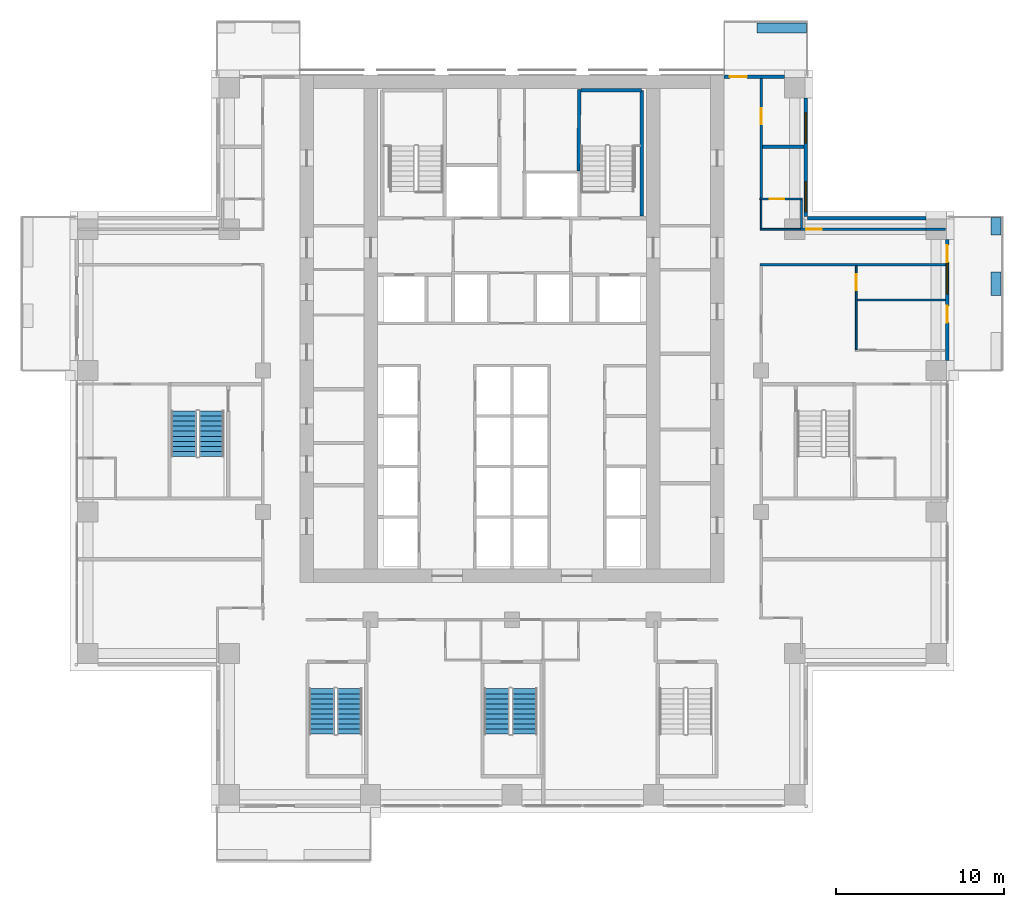
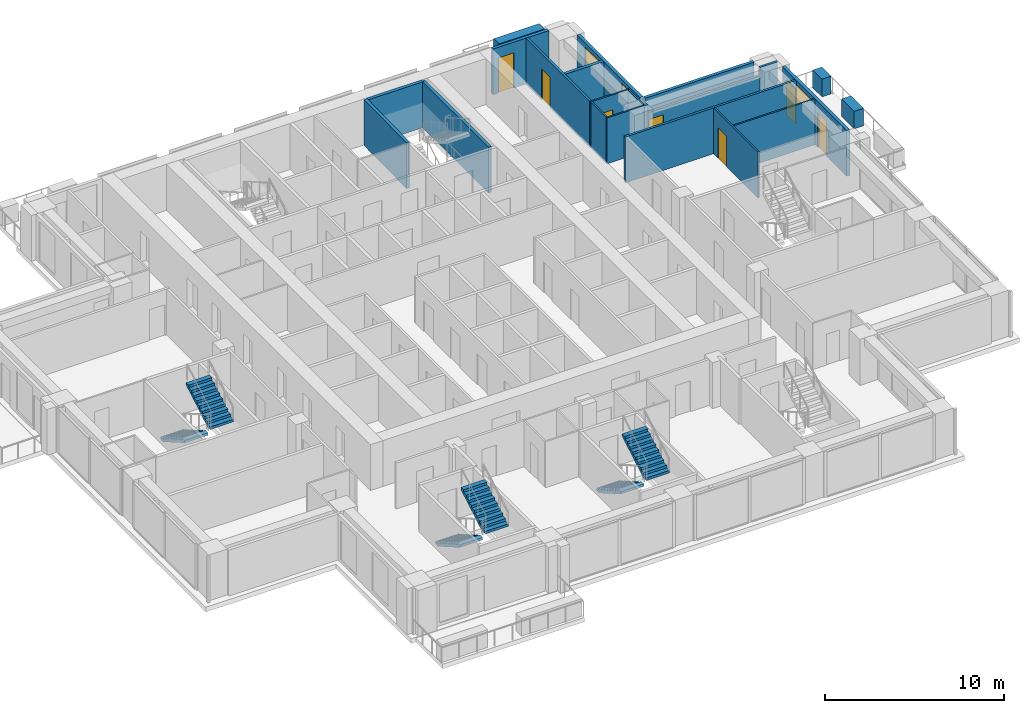
# One storey, part 12 of 17: 22 walls, 7 doors, 6 stair flights, 3 windows, 10 openings, 3 elements without a shape of their own.
"""IFC4 building model written with IfcOpenShell, lengths in metres."""

from ifc_helpers import new_model, si_unit, direction, frame, frame_2d, origin, place, context, subcontext, project, spatial, polyline, rectangle, outline, extrude, material, layer, layer_set, type_object, element, fill, aggregate, save


model = new_model("IFC4")

# Units and contexts
model_context = context("Model", 3, precision=1e-05, world=origin(), true_north=direction((0.0, 1.0)))
body_context = subcontext(model_context, "Body", "Model", "MODEL_VIEW")
ifc_project = project(units=[si_unit("LENGTHUNIT", "METRE"), si_unit("AREAUNIT", "SQUARE_METRE"), si_unit("VOLUMEUNIT", "CUBIC_METRE"), si_unit("PLANEANGLEUNIT", "RADIAN"), si_unit("MASSUNIT", "GRAM", prefix="KILO")], contexts=[model_context])

# Site, building, storey
site_placement = place(None, origin())
site = spatial("IfcSite", under=ifc_project, at=site_placement, CompositionType="ELEMENT")
building_placement = place(site_placement, origin())
building = spatial("IfcBuilding", under=site, at=building_placement, Name="Vermilion Ogive Tower", CompositionType="ELEMENT")
storey_placement = place(building_placement, frame((0.0, 0.0, 87.300048828125)))
storey = spatial("IfcBuildingStorey", under=building, at=storey_placement, Name="L21", CompositionType="ELEMENT", Elevation=87.300048828125)

# Wall
ifc_material_1 = material(Name="Gypsum board partition on steel studs", Category="steel")
ifc_layer_1 = layer(ifc_material_1, 0.10009765625)
ifc_layer_set_1 = layer_set([ifc_layer_1], Name="Partition 100 bath")
wall_type_1 = type_object("IfcWallType", Name="Partition 100 bath", PredefinedType="PARTITIONING", material=ifc_layer_set_1)
wall_1_placement = place(storey_placement, frame((14.75, 12.60009765625, 0.0), z_axis=(0.0, 0.0, 1.0), x_axis=(1.0, 0.0, 0.0)))
element("IfcWall", 1, at=wall_1_placement, inside=storey, type_object=wall_type_1, Name="L21-W-W033", PredefinedType="PARTITIONING", context=body_context, shape_type="SweptSolid", body=[
    extrude(rectangle(XDim=2.5, YDim=0.10009765625, at=frame_2d((1.25, 0.0))), origin(), (0.0, 0.0, 1.0), 3.1298828125),
])

# Wall, opening, door
wall_2_placement = place(storey_placement, frame((14.72509765625, 14.39990234375, 0.0), z_axis=(0.0, 0.0, 1.0), x_axis=(1.0, 0.0, 0.0)))
wall_2 = element("IfcWall", 2, at=wall_2_placement, inside=storey, type_object=wall_type_1, Name="L21-W-W036", PredefinedType="PARTITIONING", context=body_context, shape_type="SweptSolid", body=[
    extrude(rectangle(XDim=2.52490234375, YDim=0.10009765625, at=frame_2d((1.262451171875, 0.0))), origin(), (0.0, 0.0, 1.0), 3.1298828125),
])
opening_1_placement = place(wall_2_placement, frame((0.599853515625, 0.0, 0.0)))
opening_1 = element("IfcOpeningElement", 3, at=opening_1_placement, cuts=wall_2, Name="Opening D2G1021", PredefinedType="OPENING", context=body_context, shape_type="SweptSolid", body=[
    extrude(rectangle(XDim=0.85009765625, YDim=2.10009765625, at=frame_2d((0.425048828125, 1.050048828125))), frame((0.0, 0.06005859375, 0.0), z_axis=(0.0, -1.0, 0.0), x_axis=(1.0, 0.0, 0.0)), (0.0, 0.0, 1.0), 0.1201171875),
])
ifc_material_2 = material(Name="Timber door leaf", Category="wood")
door_type_1 = type_object("IfcDoorType", Name="Bath door 850 x 2100 FD30", OperationType="SINGLE_SWING_LEFT", PredefinedType="DOOR", material=ifc_material_2)
door_1_placement = place(opening_1_placement, origin())
door_1 = element("IfcDoor", 4, at=door_1_placement, inside=storey, type_object=door_type_1, Name="L21-D-D021", OperationType="SINGLE_SWING_RIGHT", OverallHeight=2.10009765625, OverallWidth=0.85009765625, PredefinedType="DOOR", context=body_context, shape_type="SweptSolid", body=[
    extrude(rectangle(XDim=0.85009765625, YDim=2.10009765625, at=frame_2d((0.425048828125, 1.050048828125))), frame((0.0, 0.02490234375, 0.0), z_axis=(0.0, -1.0, 0.0), x_axis=(1.0, 0.0, 0.0)), (0.0, 0.0, 1.0), 0.050048828125),
])
fill(opening_1, door_1)

# Walls
wall_3_placement = place(storey_placement, frame((14.800048828125, 12.64990234375, 0.0), z_axis=(0.0, 0.0, 1.0), x_axis=(0.0, 1.0, 0.0)))
element("IfcWall", 5, at=wall_3_placement, inside=storey, type_object=wall_type_1, Name="L21-W-W058", PredefinedType="PARTITIONING", context=body_context, shape_type="SweptSolid", body=[
    extrude(rectangle(XDim=1.7001953125, YDim=0.10009765625, at=frame_2d((0.85009765625, 0.0))), origin(), (0.0, 0.0, 1.0), 3.1298828125),
])
wall_4_placement = place(storey_placement, frame((17.199951171875, 12.675048828125, 0.0), z_axis=(0.0, 0.0, 1.0), x_axis=(0.0, 1.0, 0.0)))
element("IfcWall", 6, at=wall_4_placement, inside=storey, type_object=wall_type_1, Name="L21-W-W062", PredefinedType="PARTITIONING", context=body_context, shape_type="SweptSolid", body=[
    extrude(rectangle(XDim=1.675048828125, YDim=0.10009765625, at=frame_2d((0.83740234375, 0.0))), origin(), (0.0, 0.0, 1.0), 3.1298828125),
])
ifc_material_3 = material(Name="Gypsum board partition on steel studs", Category="steel")
ifc_layer_2 = layer(ifc_material_3, 0.10009765625)
ifc_layer_set_2 = layer_set([ifc_layer_2], Name="Partition 100 inner")
wall_type_2 = type_object("IfcWallType", Name="Partition 100 inner", PredefinedType="PARTITIONING", material=ifc_layer_set_2)
wall_5_placement = place(storey_placement, frame((20.5, 8.39990234375, 0.0), z_axis=(0.0, 0.0, 1.0), x_axis=(1.0, 0.0, 0.0)))
element("IfcWall", 7, at=wall_5_placement, inside=storey, type_object=wall_type_2, Name="L21-W-W028", PredefinedType="PARTITIONING", context=body_context, shape_type="SweptSolid", body=[
    extrude(rectangle(XDim=5.25, YDim=0.10009765625, at=frame_2d((2.625, 0.0))), origin(), (0.0, 0.0, 1.0), 3.1298828125),
])

# Wall, opening, door
wall_6_placement = place(storey_placement, frame((20.449951171875, 5.449951171875, 0.0), z_axis=(0.0, 0.0, 1.0), x_axis=(0.0, 1.0, 0.0)))
wall_6 = element("IfcWall", 8, at=wall_6_placement, inside=storey, type_object=wall_type_2, Name="L21-W-W065", PredefinedType="PARTITIONING", context=body_context, shape_type="SweptSolid", body=[
    extrude(rectangle(XDim=4.97509765625, YDim=0.10009765625, at=frame_2d((2.487548828125, 0.0))), origin(), (0.0, 0.0, 1.0), 3.1298828125),
])
opening_2_placement = place(wall_6_placement, frame((3.525146484375, 0.0, 0.0)))
opening_2 = element("IfcOpeningElement", 9, at=opening_2_placement, cuts=wall_6, Name="Opening D2G1016", PredefinedType="OPENING", context=body_context, shape_type="SweptSolid", body=[
    extrude(rectangle(XDim=0.949951171875, YDim=2.10009765625, at=frame_2d((0.47509765625, 1.050048828125))), frame((0.0, 0.06005859375, 0.0), z_axis=(0.0, -1.0, 0.0), x_axis=(1.0, 0.0, 0.0)), (0.0, 0.0, 1.0), 0.1201171875),
])
ifc_material_4 = material(Name="Timber door leaf", Category="wood")
door_type_2 = type_object("IfcDoorType", Name="Inner door 950 x 2100 FD30", OperationType="SINGLE_SWING_LEFT", PredefinedType="DOOR", material=ifc_material_4)
door_2_placement = place(opening_2_placement, origin())
door_2 = element("IfcDoor", 10, at=door_2_placement, inside=storey, type_object=door_type_2, Name="L21-D-D016", OperationType="SINGLE_SWING_RIGHT", OverallHeight=2.10009765625, OverallWidth=0.949951171875, PredefinedType="DOOR", context=body_context, shape_type="SweptSolid", body=[
    extrude(rectangle(XDim=0.949951171875, YDim=2.10009765625, at=frame_2d((0.47509765625, 1.050048828125))), frame((0.0, 0.02490234375, 0.0), z_axis=(0.0, -1.0, 0.0), x_axis=(1.0, 0.0, 0.0)), (0.0, 0.0, 1.0), 0.050048828125),
])
fill(opening_2, door_2)

# Walls
ifc_material_5 = material(Name="Gypsum board partition on steel studs", Category="steel")
ifc_layer_3 = layer(ifc_material_5, 0.14990234375)
ifc_layer_set_3 = layer_set([ifc_layer_3], Name="Partition 150 corridor")
wall_type_3 = type_object("IfcWallType", Name="Partition 150 corridor", PredefinedType="PARTITIONING", material=ifc_layer_set_3)
wall_7_placement = place(storey_placement, frame((14.72509765625, 10.5, 0.0), z_axis=(0.0, 0.0, 1.0), x_axis=(1.0, 0.0, 0.0)))
element("IfcWall", 11, at=wall_7_placement, inside=storey, type_object=wall_type_3, Name="L21-W-W030", PredefinedType="PARTITIONING", context=body_context, shape_type="SweptSolid", body=[
    extrude(rectangle(XDim=11.02490234375, YDim=0.14990234375, at=frame_2d((5.512451171875, 0.0))), origin(), (0.0, 0.0, 1.0), 3.1298828125),
])
wall_8_placement = place(storey_placement, frame((17.14990234375, 12.60009765625, 0.0), z_axis=(0.0, 0.0, 1.0), x_axis=(1.0, 0.0, 0.0)))
element("IfcWall", 12, at=wall_8_placement, inside=storey, type_object=wall_type_3, Name="L21-W-W034", PredefinedType="PARTITIONING", context=body_context, shape_type="SweptSolid", body=[
    extrude(rectangle(XDim=0.25, YDim=0.14990234375, at=frame_2d((0.125, 0.0))), origin(), (0.0, 0.0, 1.0), 3.1298828125),
])

# Wall, opening, door
wall_9_placement = place(storey_placement, frame((14.800048828125, 14.449951171875, 0.0), z_axis=(0.0, 0.0, 1.0), x_axis=(0.0, 1.0, 0.0)))
wall_9 = element("IfcWall", 13, at=wall_9_placement, inside=storey, type_object=wall_type_3, Name="L21-W-W059", PredefinedType="PARTITIONING", context=body_context, shape_type="SweptSolid", body=[
    extrude(rectangle(XDim=7.10009765625, YDim=0.14990234375, at=frame_2d((3.550048828125, 0.0))), origin(), (0.0, 0.0, 1.0), 3.1298828125),
])
opening_3_placement = place(wall_9_placement, frame((4.400146484375, 0.0, 0.0)))
opening_3 = element("IfcOpeningElement", 14, at=opening_3_placement, cuts=wall_9, Name="Opening D2G1022", PredefinedType="OPENING", context=body_context, shape_type="SweptSolid", body=[
    extrude(rectangle(XDim=0.949951171875, YDim=2.10009765625, at=frame_2d((0.47509765625, 1.050048828125))), frame((0.0, 0.0849609375, 0.0), z_axis=(0.0, -1.0, 0.0), x_axis=(1.0, 0.0, 0.0)), (0.0, 0.0, 1.0), 0.169921875),
])
ifc_material_6 = material(Name="Timber door leaf", Category="wood")
door_type_3 = type_object("IfcDoorType", Name="Unit door 950 x 2100 FD30S", OperationType="SINGLE_SWING_LEFT", PredefinedType="DOOR", material=ifc_material_6)
door_3_placement = place(opening_3_placement, origin())
door_3 = element("IfcDoor", 15, at=door_3_placement, inside=storey, type_object=door_type_3, Name="L21-D-D022", OperationType="SINGLE_SWING_RIGHT", OverallHeight=2.10009765625, OverallWidth=0.949951171875, PredefinedType="DOOR", context=body_context, shape_type="SweptSolid", body=[
    extrude(rectangle(XDim=0.949951171875, YDim=2.10009765625, at=frame_2d((0.47509765625, 1.050048828125))), frame((0.0, 0.02490234375, 0.0), z_axis=(0.0, -1.0, 0.0), x_axis=(1.0, 0.0, 0.0)), (0.0, 0.0, 1.0), 0.050048828125),
])
fill(opening_3, door_3)

wall_10_placement = place(storey_placement, frame((17.39990234375, 12.60009765625, 0.0), z_axis=(0.0, 0.0, 1.0), x_axis=(1.0, 0.0, 0.0)))
wall_10 = element("IfcWall", 16, at=wall_10_placement, inside=storey, type_object=wall_type_3, Name="L21-W-W034-h1", PredefinedType="PARTITIONING", context=body_context, shape_type="SweptSolid", body=[
    extrude(rectangle(XDim=7.2001953125, YDim=0.14990234375, at=frame_2d((3.60009765625, 0.0))), origin(), (0.0, 0.0, 1.0), 2.579833984375),
])
opening_4_placement = place(wall_10_placement, frame((0.050048828125, 0.0, 0.0)))
opening_4 = element("IfcOpeningElement", 17, at=opening_4_placement, cuts=wall_10, Name="Opening D2G1020", PredefinedType="OPENING", context=body_context, shape_type="SweptSolid", body=[
    extrude(rectangle(XDim=0.949951171875, YDim=2.10009765625, at=frame_2d((0.47509765625, 1.050048828125))), frame((0.0, 0.0849609375, 0.0), z_axis=(0.0, -1.0, 0.0), x_axis=(1.0, 0.0, 0.0)), (0.0, 0.0, 1.0), 0.169921875),
])
door_4_placement = place(opening_4_placement, origin())
door_4 = element("IfcDoor", 18, at=door_4_placement, inside=storey, type_object=door_type_3, Name="L21-D-D020", OperationType="SINGLE_SWING_LEFT", OverallHeight=2.10009765625, OverallWidth=0.949951171875, PredefinedType="DOOR", context=body_context, shape_type="SweptSolid", body=[
    extrude(rectangle(XDim=0.949951171875, YDim=2.10009765625, at=frame_2d((0.47509765625, 1.050048828125))), frame((0.0, 0.02490234375, 0.0), z_axis=(0.0, -1.0, 0.0), x_axis=(1.0, 0.0, 0.0)), (0.0, 0.0, 1.0), 0.050048828125),
])
fill(opening_4, door_4)

# Walls
wall_11_placement = place(storey_placement, frame((24.60009765625, 12.60009765625, 0.0), z_axis=(0.0, 0.0, 1.0), x_axis=(1.0, 0.0, 0.0)))
element("IfcWall", 19, at=wall_11_placement, inside=storey, type_object=wall_type_3, Name="L21-W-W034-h2", PredefinedType="PARTITIONING", context=body_context, shape_type="SweptSolid", body=[
    extrude(rectangle(XDim=1.14990234375, YDim=0.14990234375, at=frame_2d((0.574951171875, 0.0))), origin(), (0.0, 0.0, 1.0), 3.1298828125),
])
ifc_material_7 = material(Name="Gypsum board partition on steel studs", Category="steel")
ifc_layer_4 = layer(ifc_material_7, 0.199951171875)
ifc_layer_set_4 = layer_set([ifc_layer_4], Name="Partition 200 party")
wall_type_4 = type_object("IfcWallType", Name="Partition 200 party", PredefinedType="PARTITIONING", material=ifc_layer_set_4)
wall_12_placement = place(storey_placement, frame((14.875, 17.5, 0.0), z_axis=(0.0, 0.0, 1.0), x_axis=(1.0, 0.0, 0.0)))
element("IfcWall", 20, at=wall_12_placement, inside=storey, type_object=wall_type_4, Name="L21-W-W038", PredefinedType="PARTITIONING", context=body_context, shape_type="SweptSolid", body=[
    extrude(rectangle(XDim=2.47509765625, YDim=0.199951171875, at=frame_2d((1.237548828125, 0.0))), origin(), (0.0, 0.0, 1.0), 3.1298828125),
])
ifc_material_8 = material(Name="Concrete B60", Category="concrete")
ifc_layer_5 = layer(ifc_material_8, 0.199951171875)
ifc_layer_set_5 = layer_set([ifc_layer_5], Name="Stair shaft wall 200 Concrete B60")
wall_type_5 = type_object("IfcWallType", Name="Stair shaft wall 200 Concrete B60", PredefinedType="SOLIDWALL", material=ifc_layer_set_5)
wall_13_placement = place(storey_placement, frame((3.949951171875, 16.050048828125, 0.0), z_axis=(0.0, 0.0, 1.0), x_axis=(0.01032118628, 0.999946735138, 0.0)))
element("IfcWall", 21, at=wall_13_placement, inside=storey, type_object=wall_type_5, Name="L21-CK-W-W038", PredefinedType="SOLIDWALL", context=body_context, shape_type="SweptSolid", body=[
    extrude(rectangle(XDim=4.84912109375, YDim=0.199951171875, at=frame_2d((2.424560546875, 0.0))), origin(), (0.0, 0.0, 1.0), 3.1298828125),
])
wall_14_placement = place(storey_placement, frame((7.699951171875, 13.39990234375, 0.0), z_axis=(0.0, 0.0, 1.0), x_axis=(0.0, 1.0, 0.0)))
element("IfcWall", 22, at=wall_14_placement, inside=storey, type_object=wall_type_5, Name="L21-SW-R026-E1", PredefinedType="SOLIDWALL", context=body_context, shape_type="SweptSolid", body=[
    extrude(rectangle(XDim=7.4501953125, YDim=0.199951171875, at=frame_2d((3.72509765625, 0.0))), origin(), (0.0, 0.0, 1.0), 3.1298828125),
])
wall_15_placement = place(storey_placement, frame((4.10009765625, 20.85009765625, 0.0), z_axis=(0.0, 0.0, 1.0), x_axis=(1.0, 0.0, 0.0)))
element("IfcWall", 23, at=wall_15_placement, inside=storey, type_object=wall_type_5, Name="L21-SW-R026-N1", PredefinedType="SOLIDWALL", context=body_context, shape_type="SweptSolid", body=[
    extrude(rectangle(XDim=3.599853515625, YDim=0.199951171875, at=frame_2d((1.7998046875, 0.0))), origin(), (0.0, 0.0, 1.0), 3.1298828125),
])
ifc_material_9 = material(Name="Concrete B40", Category="concrete")
ifc_layer_6 = layer(ifc_material_9, 0.60009765625)
ifc_layer_set_6 = layer_set([ifc_layer_6], Name="Structural planter")
wall_type_6 = type_object("IfcWallType", Name="Structural planter", PredefinedType="USERDEFINED", material=ifc_layer_set_6)
wall_16_placement = place(storey_placement, frame((28.75, 8.64990234375, -0.0400390625), z_axis=(0.0, 0.0, 1.0), x_axis=(0.0, 1.0, 0.0)))
element("IfcWall", 24, at=wall_16_placement, inside=storey, type_object=wall_type_6, Name="Planter E03A2", ObjectType="PLANTER", PredefinedType="USERDEFINED", context=body_context, shape_type="SweptSolid", body=[
    extrude(rectangle(XDim=1.400146484375, YDim=0.60009765625, at=frame_2d((0.7001953125, 0.0))), origin(), (0.0, 0.0, 1.0), 1.199951171875),
])
wall_17_placement = place(storey_placement, frame((28.75, 12.25, -0.0400390625), z_axis=(0.0, 0.0, 1.0), x_axis=(0.0, 1.0, 0.0)))
element("IfcWall", 25, at=wall_17_placement, inside=storey, type_object=wall_type_6, Name="Planter E03A3", ObjectType="PLANTER", PredefinedType="USERDEFINED", context=body_context, shape_type="SweptSolid", body=[
    extrude(rectangle(XDim=1.0400390625, YDim=0.60009765625, at=frame_2d((0.52001953125, 0.0))), origin(), (0.0, 0.0, 1.0), 1.199951171875),
])
wall_18_placement = place(storey_placement, frame((17.489990234375, 24.550048828125, -0.0400390625), z_axis=(0.0, 0.0, 1.0), x_axis=(-1.0, 0.0, 0.0)))
element("IfcWall", 26, at=wall_18_placement, inside=storey, type_object=wall_type_6, Name="Planter N101A1", ObjectType="PLANTER", PredefinedType="USERDEFINED", context=body_context, shape_type="SweptSolid", body=[
    extrude(rectangle(XDim=2.93994140625, YDim=0.60009765625, at=frame_2d((1.469970703125, 0.0))), origin(), (0.0, 0.0, 1.0), 1.199951171875),
])

# Wall, openings, doors, window
ifc_material_10 = material(Name="Aluminium window wall framing", Category="aluminium")
ifc_layer_7 = layer(ifc_material_10, 0.199951171875)
ifc_layer_set_7 = layer_set([ifc_layer_7], Name="Window wall")
wall_type_7 = type_object("IfcWallType", Name="Window wall", PredefinedType="STANDARD", material=ifc_layer_set_7)
wall_19_placement = place(storey_placement, frame((25.85009765625, 4.800048828125, 0.0), z_axis=(0.0, 0.0, 1.0), x_axis=(0.0, 1.0, 0.0)))
wall_19 = element("IfcWall", 27, at=wall_19_placement, inside=storey, type_object=wall_type_7, Name="Window wall E3", PredefinedType="STANDARD", context=body_context, shape_type="SweptSolid", body=[
    extrude(rectangle(XDim=7.199951171875, YDim=0.199951171875, at=frame_2d((3.60009765625, 0.0))), origin(), (0.0, 0.0, 1.0), 3.1298828125),
])
opening_5_placement = place(wall_19_placement, frame((2.25, 0.0, 0.0)))
opening_5 = element("IfcOpeningElement", 28, at=opening_5_placement, cuts=wall_19, Name="Opening D1-E01", PredefinedType="OPENING", context=body_context, shape_type="SweptSolid", body=[
    extrude(rectangle(XDim=1.0, YDim=2.39990234375, at=frame_2d((0.5, 1.199951171875))), frame((0.0, 0.10986328125, 0.0), z_axis=(0.0, -1.0, 0.0), x_axis=(1.0, 0.0, 0.0)), (0.0, 0.0, 1.0), 0.219970703125),
])
opening_6_placement = place(wall_19_placement, frame((3.949951171875, 0.0, 0.199951171875)))
opening_6 = element("IfcOpeningElement", 29, at=opening_6_placement, cuts=wall_19, Name="Opening W1-E02", PredefinedType="OPENING", context=body_context, shape_type="SweptSolid", body=[
    extrude(rectangle(XDim=1.800048828125, YDim=2.64990234375, at=frame_2d((0.89990234375, 1.324951171875))), frame((0.0, 0.10986328125, 0.0), z_axis=(0.0, -1.0, 0.0), x_axis=(1.0, 0.0, 0.0)), (0.0, 0.0, 1.0), 0.219970703125),
])
opening_7_placement = place(wall_19_placement, frame((5.85009765625, 0.0, 0.0)))
opening_7 = element("IfcOpeningElement", 30, at=opening_7_placement, cuts=wall_19, Name="Opening D1-E02", PredefinedType="OPENING", context=body_context, shape_type="SweptSolid", body=[
    extrude(rectangle(XDim=1.0, YDim=2.39990234375, at=frame_2d((0.5, 1.199951171875))), frame((0.0, 0.10986328125, 0.0), z_axis=(0.0, -1.0, 0.0), x_axis=(1.0, 0.0, 0.0)), (0.0, 0.0, 1.0), 0.219970703125),
])
ifc_material_11 = material(Name="Aluminium framed glazed door", Category="aluminium")
door_type_4 = type_object("IfcDoorType", Name="Balcony door D1", OperationType="SINGLE_SWING_LEFT", PredefinedType="DOOR", material=ifc_material_11)
door_5_placement = place(opening_5_placement, origin())
door_5 = element("IfcDoor", 31, at=door_5_placement, inside=storey, type_object=door_type_4, Name="Balcony door E01", OperationType="SINGLE_SWING_LEFT", OverallHeight=2.39990234375, OverallWidth=1.0, PredefinedType="DOOR", context=body_context, shape_type="SweptSolid", body=[
    extrude(rectangle(XDim=1.0, YDim=2.39990234375, at=frame_2d((0.5, 1.199951171875))), frame((0.0, 0.02490234375, 0.0), z_axis=(0.0, -1.0, 0.0), x_axis=(1.0, 0.0, 0.0)), (0.0, 0.0, 1.0), 0.050048828125),
])
fill(opening_5, door_5)
door_6_placement = place(opening_7_placement, origin())
door_6 = element("IfcDoor", 32, at=door_6_placement, inside=storey, type_object=door_type_4, Name="Balcony door E02", OperationType="SINGLE_SWING_LEFT", OverallHeight=2.39990234375, OverallWidth=1.0, PredefinedType="DOOR", context=body_context, shape_type="SweptSolid", body=[
    extrude(rectangle(XDim=1.0, YDim=2.39990234375, at=frame_2d((0.5, 1.199951171875))), frame((0.0, 0.02490234375, 0.0), z_axis=(0.0, -1.0, 0.0), x_axis=(1.0, 0.0, 0.0)), (0.0, 0.0, 1.0), 0.050048828125),
])
fill(opening_7, door_6)
ifc_material_12 = material(Name="Aluminium framed double glazing", Category="aluminium")
window_type = type_object("IfcWindowType", Name="Guest window W1", PartitioningType="SINGLE_PANEL", PredefinedType="WINDOW", material=ifc_material_12)
window_1_placement = place(opening_6_placement, origin())
window_1 = element("IfcWindow", 33, at=window_1_placement, inside=storey, type_object=window_type, Name="Window E02", OverallHeight=2.64990234375, OverallWidth=1.800048828125, PartitioningType="SINGLE_PANEL", PredefinedType="WINDOW", context=body_context, shape_type="SweptSolid", body=[
    extrude(rectangle(XDim=1.800048828125, YDim=2.64990234375, at=frame_2d((0.89990234375, 1.324951171875))), frame((0.0, 0.030029296875, 0.0), z_axis=(0.0, -1.0, 0.0), x_axis=(1.0, 0.0, 0.0)), (0.0, 0.0, 1.0), 0.06005859375),
])
fill(opening_6, window_1)

# Wall
wall_20_placement = place(storey_placement, frame((24.60009765625, 13.25, 0.0), z_axis=(0.0, 0.0, 1.0), x_axis=(-1.0, 0.0, 0.0)))
element("IfcWall", 34, at=wall_20_placement, inside=storey, type_object=wall_type_7, Name="Window wall X31", PredefinedType="STANDARD", context=body_context, shape_type="SweptSolid", body=[
    extrude(rectangle(XDim=7.050048828125, YDim=0.199951171875, at=frame_2d((3.52490234375, 0.0))), origin(), (0.0, 0.0, 1.0), 3.1298828125),
])

# Wall, openings, windows
wall_21_placement = place(storey_placement, frame((17.449951171875, 13.35009765625, 0.0), z_axis=(0.0, 0.0, 1.0), x_axis=(0.0, 1.0, 0.0)))
wall_21 = element("IfcWall", 35, at=wall_21_placement, inside=storey, type_object=wall_type_7, Name="Window wall X41", PredefinedType="STANDARD", context=body_context, shape_type="SweptSolid", body=[
    extrude(rectangle(XDim=7.0498046875, YDim=0.199951171875, at=frame_2d((3.52490234375, 0.0))), origin(), (0.0, 0.0, 1.0), 3.1298828125),
])
opening_8_placement = place(wall_21_placement, frame((0.27490234375, 0.0, 0.199951171875)))
opening_8 = element("IfcOpeningElement", 36, at=opening_8_placement, cuts=wall_21, Name="Opening W1-X403", PredefinedType="OPENING", context=body_context, shape_type="SweptSolid", body=[
    extrude(rectangle(XDim=1.800048828125, YDim=2.64990234375, at=frame_2d((0.89990234375, 1.324951171875))), frame((0.0, 0.10986328125, 0.0), z_axis=(0.0, -1.0, 0.0), x_axis=(1.0, 0.0, 0.0)), (0.0, 0.0, 1.0), 0.219970703125),
])
opening_9_placement = place(wall_21_placement, frame((4.3701171875, 0.0, 0.199951171875)))
opening_9 = element("IfcOpeningElement", 37, at=opening_9_placement, cuts=wall_21, Name="Opening W1-X404", PredefinedType="OPENING", context=body_context, shape_type="SweptSolid", body=[
    extrude(rectangle(XDim=1.800048828125, YDim=2.64990234375, at=frame_2d((0.89990234375, 1.324951171875))), frame((0.0, 0.10986328125, 0.0), z_axis=(0.0, -1.0, 0.0), x_axis=(1.0, 0.0, 0.0)), (0.0, 0.0, 1.0), 0.219970703125),
])
window_2_placement = place(opening_8_placement, origin())
window_2 = element("IfcWindow", 38, at=window_2_placement, inside=storey, type_object=window_type, Name="Window X403", OverallHeight=2.64990234375, OverallWidth=1.800048828125, PartitioningType="SINGLE_PANEL", PredefinedType="WINDOW", context=body_context, shape_type="SweptSolid", body=[
    extrude(rectangle(XDim=1.800048828125, YDim=2.64990234375, at=frame_2d((0.89990234375, 1.324951171875))), frame((0.0, 0.030029296875, 0.0), z_axis=(0.0, -1.0, 0.0), x_axis=(1.0, 0.0, 0.0)), (0.0, 0.0, 1.0), 0.06005859375),
])
fill(opening_8, window_2)
window_3_placement = place(opening_9_placement, origin())
window_3 = element("IfcWindow", 39, at=window_3_placement, inside=storey, type_object=window_type, Name="Window X404", OverallHeight=2.64990234375, OverallWidth=1.800048828125, PartitioningType="SINGLE_PANEL", PredefinedType="WINDOW", context=body_context, shape_type="SweptSolid", body=[
    extrude(rectangle(XDim=1.800048828125, YDim=2.64990234375, at=frame_2d((0.89990234375, 1.324951171875))), frame((0.0, 0.030029296875, 0.0), z_axis=(0.0, -1.0, 0.0), x_axis=(1.0, 0.0, 0.0)), (0.0, 0.0, 1.0), 0.06005859375),
])
fill(opening_9, window_3)

# Wall, opening, door
wall_22_placement = place(storey_placement, frame((16.199951171875, 21.64990234375, 0.0), z_axis=(0.0, 0.0, 1.0), x_axis=(-1.0, 0.0, 0.0)))
wall_22 = element("IfcWall", 40, at=wall_22_placement, inside=storey, type_object=wall_type_7, Name="Window wall N11", PredefinedType="STANDARD", context=body_context, shape_type="SweptSolid", body=[
    extrude(rectangle(XDim=3.599853515625, YDim=0.199951171875, at=frame_2d((1.7998046875, 0.0))), origin(), (0.0, 0.0, 1.0), 3.1298828125),
])
opening_10_placement = place(wall_22_placement, frame((2.25, 0.0, 0.0)))
opening_10 = element("IfcOpeningElement", 41, at=opening_10_placement, cuts=wall_22, Name="Opening D1-N103", PredefinedType="OPENING", context=body_context, shape_type="SweptSolid", body=[
    extrude(rectangle(XDim=1.0, YDim=2.39990234375, at=frame_2d((0.5, 1.199951171875))), frame((0.0, 0.10986328125, 0.0), z_axis=(0.0, -1.0, 0.0), x_axis=(1.0, 0.0, 0.0)), (0.0, 0.0, 1.0), 0.219970703125),
])
door_7_placement = place(opening_10_placement, origin())
door_7 = element("IfcDoor", 42, at=door_7_placement, inside=storey, type_object=door_type_4, Name="Balcony door N103", OperationType="SINGLE_SWING_LEFT", OverallHeight=2.39990234375, OverallWidth=1.0, PredefinedType="DOOR", context=body_context, shape_type="SweptSolid", body=[
    extrude(rectangle(XDim=1.0, YDim=2.39990234375, at=frame_2d((0.5, 1.199951171875))), frame((0.0, 0.02490234375, 0.0), z_axis=(0.0, -1.0, 0.0), x_axis=(1.0, 0.0, 0.0)), (0.0, 0.0, 1.0), 0.050048828125),
])
fill(opening_10, door_7)

# Stair, stair flights
ifc_material_13 = material(Name="Concrete B40", Category="concrete")
stair_type = type_object("IfcStairType", Name="Exit stair 1500", PredefinedType="HALF_TURN_STAIR", material=ifc_material_13)
stair_1_placement = place(storey_placement, origin())
stair_1 = element("IfcStair", 43, at=stair_1_placement, inside=storey, type_object=stair_type, Name="L21 Exit Stair ST3", PredefinedType="HALF_TURN_STAIR")
ifc_material_14 = material(Name="Concrete B40", Category="concrete")
stair_flight_type = type_object("IfcStairFlightType", Name="Stair flight 1500", PredefinedType="STRAIGHT", material=ifc_material_14)
stair_flight_1_placement = place(storey_placement, frame((-11.300048828125, -14.699951171875, 0.0), z_axis=(0.0, 0.0, 1.0), x_axis=(0.0, -1.0, 0.0)))
stair_flight_1 = element("IfcStairFlight", 44, at=stair_flight_1_placement, type_object=stair_flight_type, Name="ST3 flight 1", NumberOfRisers=10, NumberOfTreads=9, PredefinedType="STRAIGHT", RiserHeight=0.1725, TreadLength=0.3, context=body_context, shape_type="SweptSolid", body=[
    extrude(outline(polyline([(0.0, 0.0), (0.0, 0.172607421875), (0.300048828125, 0.172607421875), (0.300048828125, 0.344970703125), (0.60009765625, 0.344970703125), (0.60009765625, 0.517578125), (0.89990234375, 0.517578125), (0.89990234375, 0.68994140625), (1.199951171875, 0.68994140625), (1.199951171875, 0.862548828125), (1.5, 0.862548828125), (1.5, 1.034912109375), (1.800048828125, 1.034912109375), (1.800048828125, 1.20751953125), (2.10009765625, 1.20751953125), (2.10009765625, 1.3798828125), (2.39990234375, 1.3798828125), (2.39990234375, 1.552490234375), (2.699951171875, 1.552490234375), (2.699951171875, 1.72509765625), (2.699951171875, 1.379638671875), (0.30078125, 0.0), (0.0, 0.0)])), frame((0.0, 0.75, 0.0), z_axis=(0.0, -1.0, 0.0), x_axis=(1.0, 0.0, 0.0)), (0.0, 0.0, 1.0), 1.5),
])
stair_flight_2_placement = place(storey_placement, frame((-9.64990234375, -17.39990234375, 1.724853515625), z_axis=(0.0, 0.0, 1.0), x_axis=(0.0, 1.0, 0.0)))
stair_flight_2 = element("IfcStairFlight", 45, at=stair_flight_2_placement, type_object=stair_flight_type, Name="ST3 flight 2", NumberOfRisers=10, NumberOfTreads=9, PredefinedType="STRAIGHT", RiserHeight=0.1725, TreadLength=0.3, context=body_context, shape_type="SweptSolid", body=[
    extrude(outline(polyline([(0.0, 0.0), (0.0, 0.172607421875), (0.300048828125, 0.172607421875), (0.300048828125, 0.344970703125), (0.60009765625, 0.344970703125), (0.60009765625, 0.517578125), (0.89990234375, 0.517578125), (0.89990234375, 0.68994140625), (1.199951171875, 0.68994140625), (1.199951171875, 0.862548828125), (1.5, 0.862548828125), (1.5, 1.034912109375), (1.800048828125, 1.034912109375), (1.800048828125, 1.20751953125), (2.10009765625, 1.20751953125), (2.10009765625, 1.3798828125), (2.39990234375, 1.3798828125), (2.39990234375, 1.552490234375), (2.699951171875, 1.552490234375), (2.699951171875, 1.72509765625), (2.699951171875, 1.379638671875), (0.30078125, 0.0), (0.0, 0.0)])), frame((0.0, 0.75, 0.0), z_axis=(0.0, -1.0, 0.0), x_axis=(1.0, 0.0, 0.0)), (0.0, 0.0, 1.0), 1.5),
])
aggregate(stair_1, [stair_flight_1, stair_flight_2])

stair_2_placement = place(storey_placement, origin())
stair_2 = element("IfcStair", 46, at=stair_2_placement, inside=storey, type_object=stair_type, Name="L21 Exit Stair ST4", PredefinedType="HALF_TURN_STAIR")
stair_flight_3_placement = place(storey_placement, frame((-0.89990234375, -14.699951171875, 0.0), z_axis=(0.0, 0.0, 1.0), x_axis=(0.0, -1.0, 0.0)))
stair_flight_3 = element("IfcStairFlight", 47, at=stair_flight_3_placement, type_object=stair_flight_type, Name="ST4 flight 1", NumberOfRisers=10, NumberOfTreads=9, PredefinedType="STRAIGHT", RiserHeight=0.1725, TreadLength=0.3, context=body_context, shape_type="SweptSolid", body=[
    extrude(outline(polyline([(0.0, 0.0), (0.0, 0.172607421875), (0.300048828125, 0.172607421875), (0.300048828125, 0.344970703125), (0.60009765625, 0.344970703125), (0.60009765625, 0.517578125), (0.89990234375, 0.517578125), (0.89990234375, 0.68994140625), (1.199951171875, 0.68994140625), (1.199951171875, 0.862548828125), (1.5, 0.862548828125), (1.5, 1.034912109375), (1.800048828125, 1.034912109375), (1.800048828125, 1.20751953125), (2.10009765625, 1.20751953125), (2.10009765625, 1.3798828125), (2.39990234375, 1.3798828125), (2.39990234375, 1.552490234375), (2.699951171875, 1.552490234375), (2.699951171875, 1.72509765625), (2.699951171875, 1.379638671875), (0.30078125, 0.0), (0.0, 0.0)])), frame((0.0, 0.75, 0.0), z_axis=(0.0, -1.0, 0.0), x_axis=(1.0, 0.0, 0.0)), (0.0, 0.0, 1.0), 1.5),
])
stair_flight_4_placement = place(storey_placement, frame((0.75, -17.39990234375, 1.724853515625), z_axis=(0.0, 0.0, 1.0), x_axis=(0.0, 1.0, 0.0)))
stair_flight_4 = element("IfcStairFlight", 48, at=stair_flight_4_placement, type_object=stair_flight_type, Name="ST4 flight 2", NumberOfRisers=10, NumberOfTreads=9, PredefinedType="STRAIGHT", RiserHeight=0.1725, TreadLength=0.3, context=body_context, shape_type="SweptSolid", body=[
    extrude(outline(polyline([(0.0, 0.0), (0.0, 0.172607421875), (0.300048828125, 0.172607421875), (0.300048828125, 0.344970703125), (0.60009765625, 0.344970703125), (0.60009765625, 0.517578125), (0.89990234375, 0.517578125), (0.89990234375, 0.68994140625), (1.199951171875, 0.68994140625), (1.199951171875, 0.862548828125), (1.5, 0.862548828125), (1.5, 1.034912109375), (1.800048828125, 1.034912109375), (1.800048828125, 1.20751953125), (2.10009765625, 1.20751953125), (2.10009765625, 1.3798828125), (2.39990234375, 1.3798828125), (2.39990234375, 1.552490234375), (2.699951171875, 1.552490234375), (2.699951171875, 1.72509765625), (2.699951171875, 1.379638671875), (0.30078125, 0.0), (0.0, 0.0)])), frame((0.0, 0.75, 0.0), z_axis=(0.0, -1.0, 0.0), x_axis=(1.0, 0.0, 0.0)), (0.0, 0.0, 1.0), 1.5),
])
aggregate(stair_2, [stair_flight_3, stair_flight_4])

stair_3_placement = place(storey_placement, origin())
stair_3 = element("IfcStair", 49, at=stair_3_placement, inside=storey, type_object=stair_type, Name="L21 Exit Stair ST9", PredefinedType="HALF_TURN_STAIR")
stair_flight_5_placement = place(storey_placement, frame((-19.5, 1.800048828125, 0.0), z_axis=(0.0, 0.0, 1.0), x_axis=(0.0, -1.0, 0.0)))
stair_flight_5 = element("IfcStairFlight", 50, at=stair_flight_5_placement, type_object=stair_flight_type, Name="ST9 flight 1", NumberOfRisers=10, NumberOfTreads=9, PredefinedType="STRAIGHT", RiserHeight=0.1725, TreadLength=0.3, context=body_context, shape_type="SweptSolid", body=[
    extrude(outline(polyline([(0.0, 0.0), (0.0, 0.172607421875), (0.300048828125, 0.172607421875), (0.300048828125, 0.344970703125), (0.60009765625, 0.344970703125), (0.60009765625, 0.517578125), (0.89990234375, 0.517578125), (0.89990234375, 0.68994140625), (1.199951171875, 0.68994140625), (1.199951171875, 0.862548828125), (1.5, 0.862548828125), (1.5, 1.034912109375), (1.800048828125, 1.034912109375), (1.800048828125, 1.20751953125), (2.10009765625, 1.20751953125), (2.10009765625, 1.3798828125), (2.39990234375, 1.3798828125), (2.39990234375, 1.552490234375), (2.699951171875, 1.552490234375), (2.699951171875, 1.72509765625), (2.699951171875, 1.379638671875), (0.30078125, 0.0), (0.0, 0.0)])), frame((0.0, 0.75, 0.0), z_axis=(0.0, -1.0, 0.0), x_axis=(1.0, 0.0, 0.0)), (0.0, 0.0, 1.0), 1.5),
])
stair_flight_6_placement = place(storey_placement, frame((-17.85009765625, -0.89990234375, 1.724853515625), z_axis=(0.0, 0.0, 1.0), x_axis=(0.0, 1.0, 0.0)))
stair_flight_6 = element("IfcStairFlight", 51, at=stair_flight_6_placement, type_object=stair_flight_type, Name="ST9 flight 2", NumberOfRisers=10, NumberOfTreads=9, PredefinedType="STRAIGHT", RiserHeight=0.1725, TreadLength=0.3, context=body_context, shape_type="SweptSolid", body=[
    extrude(outline(polyline([(0.0, 0.0), (0.0, 0.172607421875), (0.300048828125, 0.172607421875), (0.300048828125, 0.344970703125), (0.60009765625, 0.344970703125), (0.60009765625, 0.517578125), (0.89990234375, 0.517578125), (0.89990234375, 0.68994140625), (1.199951171875, 0.68994140625), (1.199951171875, 0.862548828125), (1.5, 0.862548828125), (1.5, 1.034912109375), (1.800048828125, 1.034912109375), (1.800048828125, 1.20751953125), (2.10009765625, 1.20751953125), (2.10009765625, 1.3798828125), (2.39990234375, 1.3798828125), (2.39990234375, 1.552490234375), (2.699951171875, 1.552490234375), (2.699951171875, 1.72509765625), (2.699951171875, 1.379638671875), (0.30078125, 0.0), (0.0, 0.0)])), frame((0.0, 0.75, 0.0), z_axis=(0.0, -1.0, 0.0), x_axis=(1.0, 0.0, 0.0)), (0.0, 0.0, 1.0), 1.5),
])
aggregate(stair_3, [stair_flight_5, stair_flight_6])

save(model, "model.ifc")
